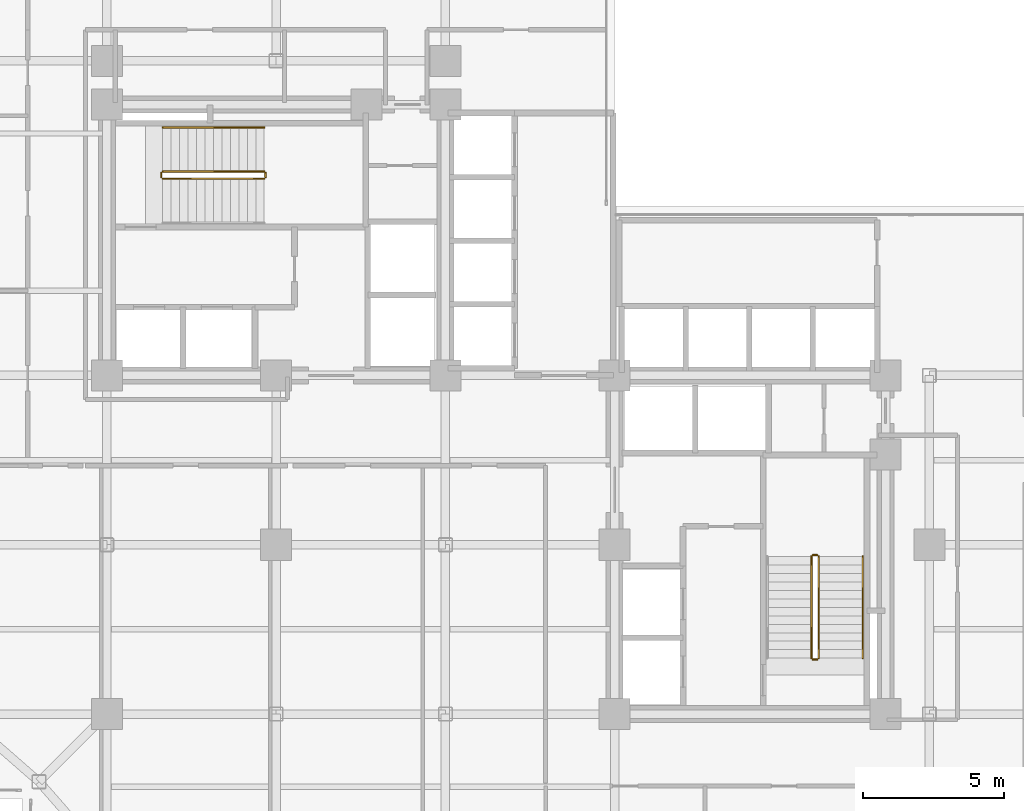
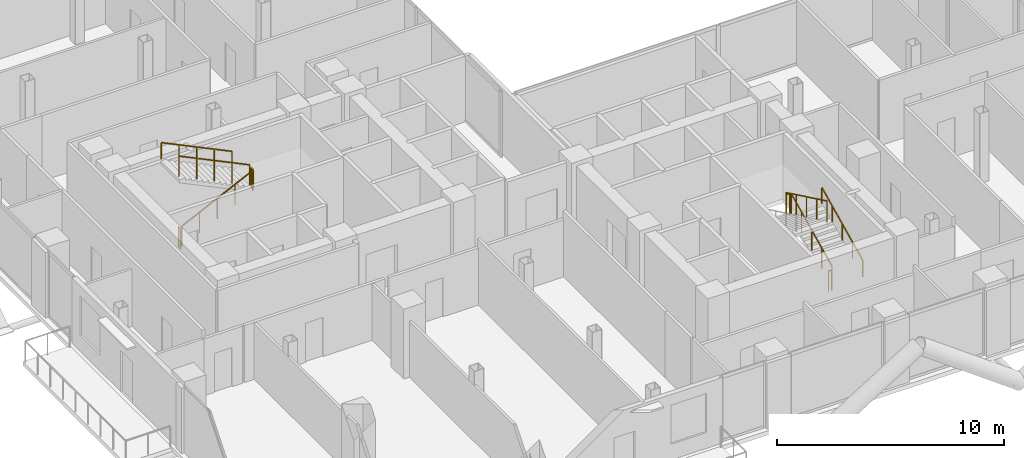
# One storey, part 25 of 26: 10 railings.
"""IFC4 building model written with IfcOpenShell, lengths in metres."""

from ifc_helpers import new_model, si_unit, direction, frame, origin, origin_2d, place, context, subcontext, project, spatial, rectangle, extrude, material, type_object, element, save


model = new_model("IFC4")

# Units and contexts
model_context = context("Model", 3, precision=1e-05, world=origin(), true_north=direction((0.0, 1.0)))
body_context = subcontext(model_context, "Body", "Model", "MODEL_VIEW")
ifc_project = project(units=[si_unit("LENGTHUNIT", "METRE"), si_unit("AREAUNIT", "SQUARE_METRE"), si_unit("VOLUMEUNIT", "CUBIC_METRE"), si_unit("PLANEANGLEUNIT", "RADIAN"), si_unit("MASSUNIT", "GRAM", prefix="KILO"), si_unit("THERMODYNAMICTEMPERATUREUNIT", "KELVIN"), si_unit("POWERUNIT", "WATT")], contexts=[model_context])

# Site, building, storey
site_placement = place(None, origin())
site = spatial("IfcSite", under=ifc_project, at=site_placement, CompositionType="ELEMENT")
building_placement = place(site_placement, origin())
building = spatial("IfcBuilding", under=site, at=building_placement, Name="Svarakhadi Broadcast Tower", CompositionType="ELEMENT")
storey_placement = place(building_placement, frame((0.0, 0.0, 99.60009765625)))
storey = spatial("IfcBuildingStorey", under=building, at=storey_placement, Name="L23", CompositionType="ELEMENT", Elevation=99.60009765625)

# Railings
ifc_material = material(Name="Anodised Bronze Aluminium AA 6063-T6", Category="aluminium")
railing_type_1 = type_object("IfcRailingType", Name="Guard_Stair_GR01", PredefinedType="GUARDRAIL", material=ifc_material)
railing_1_placement = place(storey_placement, frame((7.97998046875, 24.969970703125, 0.14404296875)))
element("IfcRailing", 1, at=railing_1_placement, inside=storey, type_object=railing_type_1, Name="L23 ST-01 stair guard 1", PredefinedType="GUARDRAIL", context=body_context, shape_type="SweptSolid", body=[
    extrude(rectangle(XDim=0.048095703125, YDim=0.048095703125, at=origin_2d()), frame((0.0, 0.0, 1.09619140625), z_axis=(0.901238654732, 0.0, 0.433323074871), x_axis=(0.0, 1.0, 0.0)), (0.0, 0.0, 1.0), 3.99462890625),
    extrude(rectangle(XDim=0.0419921875, YDim=0.0419921875, at=origin_2d()), origin(), (0.0, 0.0, 1.0), 1.072021484375),
    extrude(rectangle(XDim=0.0419921875, YDim=0.0419921875, at=origin_2d()), frame((0.89990234375, 0.0, 0.4326171875)), (0.0, 0.0, 1.0), 1.072021484375),
    extrude(rectangle(XDim=0.0419921875, YDim=0.0419921875, at=origin_2d()), frame((1.800048828125, 0.0, 0.865478515625)), (0.0, 0.0, 1.0), 1.072021484375),
    extrude(rectangle(XDim=0.0419921875, YDim=0.0419921875, at=origin_2d()), frame((2.7001953125, 0.0, 1.29833984375)), (0.0, 0.0, 1.0), 1.072021484375),
    extrude(rectangle(XDim=0.0419921875, YDim=0.0419921875, at=origin_2d()), frame((3.60009765625, 0.0, 1.73095703125)), (0.0, 0.0, 1.0), 1.072021484375),
])
railing_2_placement = place(storey_placement, frame((11.6298828125, 25.02001953125, 1.875)))
element("IfcRailing", 2, at=railing_2_placement, inside=storey, type_object=railing_type_1, Name="L23 ST-01 stair guard 2", PredefinedType="GUARDRAIL", context=body_context, shape_type="SweptSolid", body=[
    extrude(rectangle(XDim=0.048095703125, YDim=0.048095703125, at=origin_2d()), frame((0.0, 0.0, 1.09619140625), z_axis=(0.0, 1.0, 0.0), x_axis=(-1.0, 0.0, 0.0)), (0.0, 0.0, 1.0), 0.159912109375),
    extrude(rectangle(XDim=0.0419921875, YDim=0.0419921875, at=origin_2d()), origin(), (0.0, 0.0, 1.0), 1.072021484375),
    extrude(rectangle(XDim=0.0419921875, YDim=0.0419921875, at=origin_2d()), frame((0.0, 0.159912109375, 0.0)), (0.0, 0.0, 1.0), 1.072021484375),
])
railing_3_placement = place(storey_placement, frame((11.580078125, 25.22998046875, 2.01904296875)))
element("IfcRailing", 3, at=railing_3_placement, inside=storey, type_object=railing_type_1, Name="L23 ST-01 stair guard 3", PredefinedType="GUARDRAIL", context=body_context, shape_type="SweptSolid", body=[
    extrude(rectangle(XDim=0.048095703125, YDim=0.048095703125, at=origin_2d()), frame((0.0, 0.0, 1.09619140625), z_axis=(-0.901238654732, 0.0, 0.433323074871), x_axis=(0.0, -1.0, 0.0)), (0.0, 0.0, 1.0), 3.99462890625),
    extrude(rectangle(XDim=0.0419921875, YDim=0.0419921875, at=origin_2d()), origin(), (0.0, 0.0, 1.0), 1.072021484375),
    extrude(rectangle(XDim=0.0419921875, YDim=0.0419921875, at=origin_2d()), frame((-0.89990234375, 0.0, 0.4326171875)), (0.0, 0.0, 1.0), 1.072021484375),
    extrude(rectangle(XDim=0.0419921875, YDim=0.0419921875, at=origin_2d()), frame((-1.800048828125, 0.0, 0.865478515625)), (0.0, 0.0, 1.0), 1.072021484375),
    extrude(rectangle(XDim=0.0419921875, YDim=0.0419921875, at=origin_2d()), frame((-2.7001953125, 0.0, 1.29833984375)), (0.0, 0.0, 1.0), 1.072021484375),
    extrude(rectangle(XDim=0.0419921875, YDim=0.0419921875, at=origin_2d()), frame((-3.60009765625, 0.0, 1.73095703125)), (0.0, 0.0, 1.0), 1.072021484375),
])
railing_4_placement = place(storey_placement, frame((7.929931640625, 25.02001953125, 0.0)))
element("IfcRailing", 4, at=railing_4_placement, inside=storey, type_object=railing_type_1, Name="L23 ST-01 stair guard 4", PredefinedType="GUARDRAIL", context=body_context, shape_type="SweptSolid", body=[
    extrude(rectangle(XDim=0.048095703125, YDim=0.048095703125, at=origin_2d()), frame((0.0, 0.0, 1.09619140625), z_axis=(0.0, 1.0, 0.0), x_axis=(-1.0, 0.0, 0.0)), (0.0, 0.0, 1.0), 0.159912109375),
    extrude(rectangle(XDim=0.0419921875, YDim=0.0419921875, at=origin_2d()), origin(), (0.0, 0.0, 1.0), 1.072021484375),
    extrude(rectangle(XDim=0.0419921875, YDim=0.0419921875, at=origin_2d()), frame((0.0, 0.159912109375, 0.0)), (0.0, 0.0, 1.0), 1.072021484375),
])
railing_5_placement = place(storey_placement, frame((31.22998046875, 7.97998046875, 0.14404296875)))
element("IfcRailing", 5, at=railing_5_placement, inside=storey, type_object=railing_type_1, Name="L23 ST-02 stair guard 1", PredefinedType="GUARDRAIL", context=body_context, shape_type="SweptSolid", body=[
    extrude(rectangle(XDim=0.048095703125, YDim=0.048095703125, at=origin_2d()), frame((0.0, 0.0, 1.09619140625), z_axis=(0.0, 0.901238654732, 0.433323074871), x_axis=(-1.0, 0.0, 0.0)), (0.0, 0.0, 1.0), 3.99462890625),
    extrude(rectangle(XDim=0.0419921875, YDim=0.0419921875, at=origin_2d()), origin(), (0.0, 0.0, 1.0), 1.072021484375),
    extrude(rectangle(XDim=0.0419921875, YDim=0.0419921875, at=origin_2d()), frame((0.0, 0.89990234375, 0.4326171875)), (0.0, 0.0, 1.0), 1.072021484375),
    extrude(rectangle(XDim=0.0419921875, YDim=0.0419921875, at=origin_2d()), frame((0.0, 1.800048828125, 0.865478515625)), (0.0, 0.0, 1.0), 1.072021484375),
    extrude(rectangle(XDim=0.0419921875, YDim=0.0419921875, at=origin_2d()), frame((0.0, 2.7001953125, 1.29833984375)), (0.0, 0.0, 1.0), 1.072021484375),
    extrude(rectangle(XDim=0.0419921875, YDim=0.0419921875, at=origin_2d()), frame((0.0, 3.60009765625, 1.73095703125)), (0.0, 0.0, 1.0), 1.072021484375),
])
railing_6_placement = place(storey_placement, frame((31.179931640625, 11.6298828125, 1.875)))
element("IfcRailing", 6, at=railing_6_placement, inside=storey, type_object=railing_type_1, Name="L23 ST-02 stair guard 2", PredefinedType="GUARDRAIL", context=body_context, shape_type="SweptSolid", body=[
    extrude(rectangle(XDim=0.048095703125, YDim=0.048095703125, at=origin_2d()), frame((0.0, 0.0, 1.09619140625), z_axis=(-1.0, 0.0, 0.0), x_axis=(0.0, -1.0, 0.0)), (0.0, 0.0, 1.0), 0.159912109375),
    extrude(rectangle(XDim=0.0419921875, YDim=0.0419921875, at=origin_2d()), origin(), (0.0, 0.0, 1.0), 1.072021484375),
    extrude(rectangle(XDim=0.0419921875, YDim=0.0419921875, at=origin_2d()), frame((-0.159912109375, 0.0, 0.0)), (0.0, 0.0, 1.0), 1.072021484375),
])
railing_7_placement = place(storey_placement, frame((30.969970703125, 11.580078125, 2.01904296875)))
element("IfcRailing", 7, at=railing_7_placement, inside=storey, type_object=railing_type_1, Name="L23 ST-02 stair guard 3", PredefinedType="GUARDRAIL", context=body_context, shape_type="SweptSolid", body=[
    extrude(rectangle(XDim=0.048095703125, YDim=0.048095703125, at=origin_2d()), frame((0.0, 0.0, 1.09619140625), z_axis=(0.0, -0.901238654732, 0.433323074871), x_axis=(1.0, 0.0, 0.0)), (0.0, 0.0, 1.0), 3.99462890625),
    extrude(rectangle(XDim=0.0419921875, YDim=0.0419921875, at=origin_2d()), origin(), (0.0, 0.0, 1.0), 1.072021484375),
    extrude(rectangle(XDim=0.0419921875, YDim=0.0419921875, at=origin_2d()), frame((0.0, -0.89990234375, 0.4326171875)), (0.0, 0.0, 1.0), 1.072021484375),
    extrude(rectangle(XDim=0.0419921875, YDim=0.0419921875, at=origin_2d()), frame((0.0, -1.800048828125, 0.865478515625)), (0.0, 0.0, 1.0), 1.072021484375),
    extrude(rectangle(XDim=0.0419921875, YDim=0.0419921875, at=origin_2d()), frame((0.0, -2.7001953125, 1.29833984375)), (0.0, 0.0, 1.0), 1.072021484375),
    extrude(rectangle(XDim=0.0419921875, YDim=0.0419921875, at=origin_2d()), frame((0.0, -3.60009765625, 1.73095703125)), (0.0, 0.0, 1.0), 1.072021484375),
])
railing_8_placement = place(storey_placement, frame((31.179931640625, 7.929931640625, 0.0)))
element("IfcRailing", 8, at=railing_8_placement, inside=storey, type_object=railing_type_1, Name="L23 ST-02 stair guard 4", PredefinedType="GUARDRAIL", context=body_context, shape_type="SweptSolid", body=[
    extrude(rectangle(XDim=0.048095703125, YDim=0.048095703125, at=origin_2d()), frame((0.0, 0.0, 1.09619140625), z_axis=(-1.0, 0.0, 0.0), x_axis=(0.0, -1.0, 0.0)), (0.0, 0.0, 1.0), 0.159912109375),
    extrude(rectangle(XDim=0.0419921875, YDim=0.0419921875, at=origin_2d()), origin(), (0.0, 0.0, 1.0), 1.072021484375),
    extrude(rectangle(XDim=0.0419921875, YDim=0.0419921875, at=origin_2d()), frame((-0.159912109375, 0.0, 0.0)), (0.0, 0.0, 1.0), 1.072021484375),
])
railing_type_2 = type_object("IfcRailingType", Name="Handrail_Stair_HR01", PredefinedType="HANDRAIL", material=ifc_material)
railing_9_placement = place(storey_placement, frame((11.580078125, 26.7900390625, 2.01904296875)))
element("IfcRailing", 9, at=railing_9_placement, inside=storey, type_object=railing_type_2, Name="L23 ST-01 stair handrail 2", PredefinedType="HANDRAIL", context=body_context, shape_type="SweptSolid", body=[
    extrude(rectangle(XDim=0.048095703125, YDim=0.048095703125, at=origin_2d()), frame((0.0, 0.0, 0.8759765625), z_axis=(-0.901238654732, 0.0, 0.433323074871), x_axis=(0.0, -1.0, 0.0)), (0.0, 0.0, 1.0), 3.99462890625),
    extrude(rectangle(XDim=0.0419921875, YDim=0.0419921875, at=origin_2d()), origin(), (0.0, 0.0, 1.0), 0.851806640625),
    extrude(rectangle(XDim=0.0419921875, YDim=0.0419921875, at=origin_2d()), frame((-0.89990234375, 0.0, 0.4326171875)), (0.0, 0.0, 1.0), 0.851806640625),
    extrude(rectangle(XDim=0.0419921875, YDim=0.0419921875, at=origin_2d()), frame((-1.800048828125, 0.0, 0.865478515625)), (0.0, 0.0, 1.0), 0.851806640625),
    extrude(rectangle(XDim=0.0419921875, YDim=0.0419921875, at=origin_2d()), frame((-2.7001953125, 0.0, 1.29833984375)), (0.0, 0.0, 1.0), 0.851806640625),
    extrude(rectangle(XDim=0.0419921875, YDim=0.0419921875, at=origin_2d()), frame((-3.60009765625, 0.0, 1.73095703125)), (0.0, 0.0, 1.0), 0.851806640625),
])
railing_10_placement = place(storey_placement, frame((32.7900390625, 7.97998046875, 0.14404296875)))
element("IfcRailing", 10, at=railing_10_placement, inside=storey, type_object=railing_type_2, Name="L23 ST-02 stair handrail 1", PredefinedType="HANDRAIL", context=body_context, shape_type="SweptSolid", body=[
    extrude(rectangle(XDim=0.048095703125, YDim=0.048095703125, at=origin_2d()), frame((0.0, 0.0, 0.8759765625), z_axis=(0.0, 0.901238654732, 0.433323074871), x_axis=(-1.0, 0.0, 0.0)), (0.0, 0.0, 1.0), 3.99462890625),
    extrude(rectangle(XDim=0.0419921875, YDim=0.0419921875, at=origin_2d()), origin(), (0.0, 0.0, 1.0), 0.851806640625),
    extrude(rectangle(XDim=0.0419921875, YDim=0.0419921875, at=origin_2d()), frame((0.0, 0.89990234375, 0.4326171875)), (0.0, 0.0, 1.0), 0.851806640625),
    extrude(rectangle(XDim=0.0419921875, YDim=0.0419921875, at=origin_2d()), frame((0.0, 1.800048828125, 0.865478515625)), (0.0, 0.0, 1.0), 0.851806640625),
    extrude(rectangle(XDim=0.0419921875, YDim=0.0419921875, at=origin_2d()), frame((0.0, 2.7001953125, 1.29833984375)), (0.0, 0.0, 1.0), 0.851806640625),
    extrude(rectangle(XDim=0.0419921875, YDim=0.0419921875, at=origin_2d()), frame((0.0, 3.60009765625, 1.73095703125)), (0.0, 0.0, 1.0), 0.851806640625),
])

save(model, "model.ifc")
